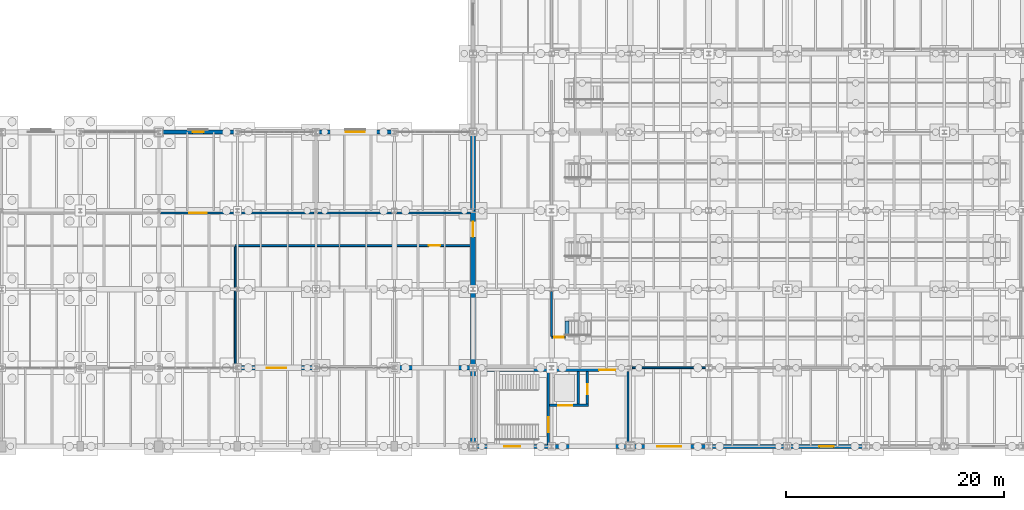
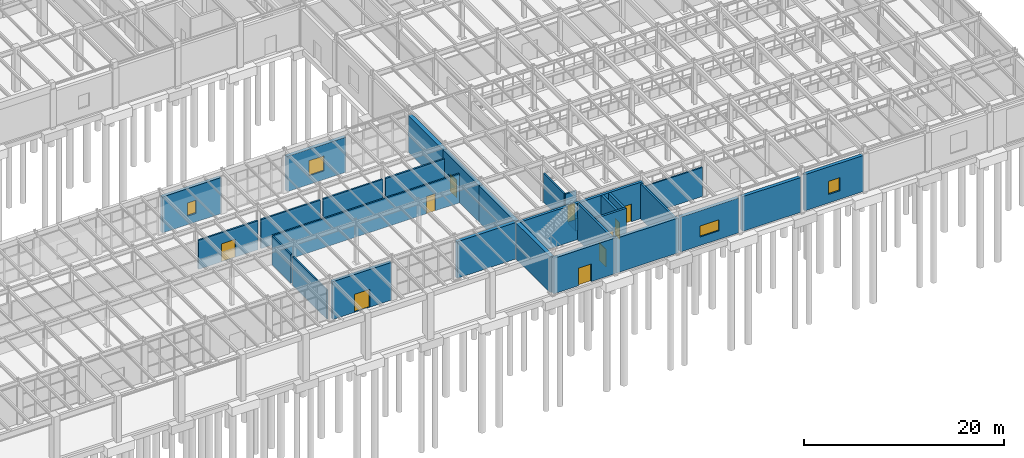
# One storey, part 270 of 293: 30 walls, 10 doors, 4 windows, 14 openings.
"""IFC4 building model written with IfcOpenShell, lengths in metres."""

from ifc_helpers import new_model, si_unit, direction, frame, frame_2d, origin, place, context, subcontext, project, spatial, rectangle, extrude, material, layer, layer_set, type_object, element, fill, save


model = new_model("IFC4")

# Units and contexts
model_context = context("Model", 3, precision=1e-05, world=origin(), true_north=direction((0.0, 1.0)))
body_context = subcontext(model_context, "Body", "Model", "MODEL_VIEW")
ifc_project = project(units=[si_unit("LENGTHUNIT", "METRE"), si_unit("AREAUNIT", "SQUARE_METRE"), si_unit("VOLUMEUNIT", "CUBIC_METRE"), si_unit("PLANEANGLEUNIT", "RADIAN"), si_unit("MASSUNIT", "GRAM", prefix="KILO")], contexts=[model_context])

# Site, building, storey
site_placement = place(None, origin())
site = spatial("IfcSite", under=ifc_project, at=site_placement, CompositionType="ELEMENT")
building_placement = place(site_placement, origin())
building = spatial("IfcBuilding", under=site, at=building_placement, Name="Kemerveld Promenade Tramway Depot", CompositionType="ELEMENT")
storey_placement = place(building_placement, origin())
storey = spatial("IfcBuildingStorey", under=building, at=storey_placement, Name="L00", CompositionType="ELEMENT", Elevation=0.0)

# Wall, opening, door
ifc_material_1 = material(Name="Concrete C40/50", Category="concrete")
ifc_layer_1 = layer(ifc_material_1, 0.25)
ifc_layer_set_1 = layer_set([ifc_layer_1], Name="WL-CORE-250")
wall_type_1 = type_object("IfcWallType", Name="WL-CORE-250", PredefinedType="SHEAR", material=ifc_layer_set_1)
wall_1_placement = place(storey_placement, frame((165.300048828125, 0.179931640625, 0.0), z_axis=(0.0, 0.0, 1.0), x_axis=(0.0, 1.0, 0.0)))
wall_1 = element("IfcWall", 1, at=wall_1_placement, inside=storey, type_object=wall_type_1, Name="WL-C5-L00-SDIV", PredefinedType="SHEAR", context=body_context, shape_type="SweptSolid", body=[
    extrude(rectangle(XDim=6.670166015625, YDim=0.25, at=frame_2d((3.3349609375, 0.0))), origin(), (0.0, 0.0, 1.0), 4.449951171875),
])
opening_1_placement = place(wall_1_placement, frame((1.1201171875, 0.0, 0.0)))
opening_1 = element("IfcOpeningElement", 2, at=opening_1_placement, cuts=wall_1, Name="Opening D-569", PredefinedType="OPENING", context=body_context, shape_type="SweptSolid", body=[
    extrude(rectangle(XDim=1.35009765625, YDim=2.14990234375, at=frame_2d((0.675048828125, 1.074951171875))), frame((0.0, 0.135009765625, 0.0), z_axis=(0.0, -1.0, 0.0), x_axis=(1.0, 0.0, 0.0)), (0.0, 0.0, 1.0), 0.27001953125),
])
ifc_material_2 = material(Name="Galvanised steel fire stair door", Category="steel")
door_type_1 = type_object("IfcDoorType", Name="DR-FD120", OperationType="NOTDEFINED", PredefinedType="DOOR", material=ifc_material_2)
door_1_placement = place(opening_1_placement, origin())
door_1 = element("IfcDoor", 3, at=door_1_placement, inside=storey, type_object=door_type_1, Name="DR-C5-L00-STAIR", OperationType="SINGLE_SWING_LEFT", OverallHeight=2.14990234375, OverallWidth=1.35009765625, PredefinedType="DOOR", context=body_context, shape_type="SweptSolid", body=[
    extrude(rectangle(XDim=1.35009765625, YDim=2.14990234375, at=frame_2d((0.675048828125, 1.074951171875))), frame((0.0, 0.02490234375, 0.0), z_axis=(0.0, -1.0, 0.0), x_axis=(1.0, 0.0, 0.0)), (0.0, 0.0, 1.0), 0.050048828125),
])
fill(opening_1, door_1)

wall_2_placement = place(storey_placement, frame((165.425048828125, 3.760009765625, 0.0), z_axis=(0.0, 0.0, 1.0), x_axis=(1.0, 0.0, 0.0)))
wall_2 = element("IfcWall", 4, at=wall_2_placement, inside=storey, type_object=wall_type_1, Name="WL-C5-L00-LSHS", PredefinedType="SHEAR", context=body_context, shape_type="SweptSolid", body=[
    extrude(rectangle(XDim=3.579833984375, YDim=0.25, at=frame_2d((1.7900390625, 0.0))), origin(), (0.0, 0.0, 1.0), 4.449951171875),
])
opening_2_placement = place(wall_2_placement, frame((0.77490234375, 0.0, 0.0)))
opening_2 = element("IfcOpeningElement", 5, at=opening_2_placement, cuts=wall_2, Name="Opening LD-570", PredefinedType="OPENING", context=body_context, shape_type="SweptSolid", body=[
    extrude(rectangle(XDim=1.300048828125, YDim=2.199951171875, at=frame_2d((0.64990234375, 1.10009765625))), frame((0.0, 0.135009765625, 0.0), z_axis=(0.0, -1.0, 0.0), x_axis=(1.0, 0.0, 0.0)), (0.0, 0.0, 1.0), 0.27001953125),
])
ifc_material_3 = material(Name="Heavy-duty goods lift sliding landing door")
door_type_2 = type_object("IfcDoorType", Name="DR-LD02", OperationType="SLIDING_TO_LEFT", PredefinedType="DOOR", material=ifc_material_3)
door_2_placement = place(opening_2_placement, origin())
door_2 = element("IfcDoor", 6, at=door_2_placement, inside=storey, type_object=door_type_2, Name="DR-C5-L00-LIFT", OperationType="SLIDING_TO_LEFT", OverallHeight=2.199951171875, OverallWidth=1.300048828125, PredefinedType="DOOR", context=body_context, shape_type="SweptSolid", body=[
    extrude(rectangle(XDim=1.300048828125, YDim=2.199951171875, at=frame_2d((0.64990234375, 1.10009765625))), frame((0.0, 0.02490234375, 0.0), z_axis=(0.0, -1.0, 0.0), x_axis=(1.0, 0.0, 0.0)), (0.0, 0.0, 1.0), 0.050048828125),
])
fill(opening_2, door_2)

# Wall
wall_3_placement = place(storey_placement, frame((168.050048828125, 3.885009765625, 0.0), z_axis=(0.0, 0.0, 1.0), x_axis=(0.0, 1.0, 0.0)))
element("IfcWall", 7, at=wall_3_placement, inside=storey, type_object=wall_type_1, Name="WL-C5-L00-LSHM", PredefinedType="SHEAR", context=body_context, shape_type="SweptSolid", body=[
    extrude(rectangle(XDim=2.965087890625, YDim=0.25, at=frame_2d((1.482421875, 0.0))), origin(), (0.0, 0.0, 1.0), 4.449951171875),
])

# Wall, opening, door
wall_4_placement = place(storey_placement, frame((168.8798828125, 3.885009765625, 0.0), z_axis=(0.0, 0.0, 1.0), x_axis=(0.0, 1.0, 0.0)))
wall_4 = element("IfcWall", 8, at=wall_4_placement, inside=storey, type_object=wall_type_1, Name="WL-C5-L00-LSHE", PredefinedType="SHEAR", context=body_context, shape_type="SweptSolid", body=[
    extrude(rectangle(XDim=2.965087890625, YDim=0.25, at=frame_2d((1.482421875, 0.0))), origin(), (0.0, 0.0, 1.0), 4.449951171875),
])
opening_3_placement = place(wall_4_placement, frame((0.89990234375, 0.0, 0.0)))
opening_3 = element("IfcOpeningElement", 9, at=opening_3_placement, cuts=wall_4, Name="Opening D-571", PredefinedType="OPENING", context=body_context, shape_type="SweptSolid", body=[
    extrude(rectangle(XDim=0.919921875, YDim=2.050048828125, at=frame_2d((0.4599609375, 1.02490234375))), frame((0.0, 0.135009765625, 0.0), z_axis=(0.0, -1.0, 0.0), x_axis=(1.0, 0.0, 0.0)), (0.0, 0.0, 1.0), 0.27001953125),
])
ifc_material_4 = material(Name="Steel riser shaft access fire door", Category="steel")
door_type_3 = type_object("IfcDoorType", Name="DR-RSR01", OperationType="NOTDEFINED", PredefinedType="DOOR", material=ifc_material_4)
door_3_placement = place(opening_3_placement, origin())
door_3 = element("IfcDoor", 10, at=door_3_placement, inside=storey, type_object=door_type_3, Name="DR-C5-L00-RISER", OperationType="SINGLE_SWING_RIGHT", OverallHeight=2.050048828125, OverallWidth=0.919921875, PredefinedType="DOOR", context=body_context, shape_type="SweptSolid", body=[
    extrude(rectangle(XDim=0.919921875, YDim=2.050048828125, at=frame_2d((0.4599609375, 1.02490234375))), frame((0.0, 0.02490234375, 0.0), z_axis=(0.0, -1.0, 0.0), x_axis=(1.0, 0.0, 0.0)), (0.0, 0.0, 1.0), 0.050048828125),
])
fill(opening_3, door_3)

ifc_layer_2 = layer(ifc_material_1, 0.300048828125)
ifc_layer_set_2 = layer_set([ifc_layer_2], Name="WL-CORE-300")
wall_type_2 = type_object("IfcWallType", Name="WL-CORE-300", PredefinedType="SHEAR", material=ifc_layer_set_2)
wall_5_placement = place(storey_placement, frame((158.570068359375, 7.0, 0.0), z_axis=(0.0, 0.0, 1.0), x_axis=(1.0, 0.0, 0.0)))
wall_5 = element("IfcWall", 11, at=wall_5_placement, inside=storey, type_object=wall_type_2, Name="WL-C5-L00-N", PredefinedType="SHEAR", context=body_context, shape_type="SweptSolid", body=[
    extrude(rectangle(XDim=14.22998046875, YDim=0.300048828125, at=frame_2d((7.114990234375, 0.0))), origin(), (0.0, 0.0, 1.0), 4.449951171875),
])
opening_4_placement = place(wall_5_placement, frame((11.3798828125, 0.0, 0.0)))
opening_4 = element("IfcOpeningElement", 12, at=opening_4_placement, cuts=wall_5, Name="Opening D-572", PredefinedType="OPENING", context=body_context, shape_type="SweptSolid", body=[
    extrude(rectangle(XDim=1.5, YDim=2.14990234375, at=frame_2d((0.75, 1.074951171875))), frame((0.0, 0.159912109375, 0.0), z_axis=(0.0, -1.0, 0.0), x_axis=(1.0, 0.0, 0.0)), (0.0, 0.0, 1.0), 0.320068359375),
])
ifc_material_5 = material(Name="Timber-faced acoustic fire lobby door", Category="wood")
door_type_4 = type_object("IfcDoorType", Name="DR-FD60A", OperationType="NOTDEFINED", PredefinedType="DOOR", material=ifc_material_5)
door_4_placement = place(opening_4_placement, origin())
door_4 = element("IfcDoor", 13, at=door_4_placement, inside=storey, type_object=door_type_4, Name="DR-C5-L00-LOBBY", OperationType="SINGLE_SWING_LEFT", OverallHeight=2.14990234375, OverallWidth=1.5, PredefinedType="DOOR", context=body_context, shape_type="SweptSolid", body=[
    extrude(rectangle(XDim=1.5, YDim=2.14990234375, at=frame_2d((0.75, 1.074951171875))), frame((0.0, 0.02490234375, 0.0), z_axis=(0.0, -1.0, 0.0), x_axis=(1.0, 0.0, 0.0)), (0.0, 0.0, 1.0), 0.050048828125),
])
fill(opening_4, door_4)

# Wall
ifc_material_6 = material(Name="Harare granite ashlar and clay brick cavity masonry", Category="masonry")
ifc_layer_3 = layer(ifc_material_6, 0.3798828125)
ifc_layer_set_3 = layer_set([ifc_layer_3], Name="WL-EXT-380")
wall_type_3 = type_object("IfcWallType", Name="WL-EXT-380", PredefinedType="SOLIDWALL", material=ifc_layer_set_3)
wall_6_placement = place(storey_placement, frame((158.1826171875, 7.199951171875, 0.0), z_axis=(0.0, 0.0, 1.0), x_axis=(-1.0, 0.0, 0.0)))
element("IfcWall", 14, at=wall_6_placement, inside=storey, type_object=wall_type_3, Name="WL-L00-V4S-01", PredefinedType="SOLIDWALL", context=body_context, shape_type="SweptSolid", body=[
    extrude(rectangle(XDim=6.786376953125, YDim=0.3798828125, at=frame_2d((3.39306640625, 0.0))), origin(), (0.0, 0.0, 1.0), 4.467529296875),
])

# Wall, opening, door
wall_7_placement = place(storey_placement, frame((143.8037109375, 7.199951171875, 0.0), z_axis=(0.0, 0.0, 1.0), x_axis=(-1.0, 0.0, 0.0)))
wall_7 = element("IfcWall", 15, at=wall_7_placement, inside=storey, type_object=wall_type_3, Name="WL-L00-V4S-03", PredefinedType="SOLIDWALL", context=body_context, shape_type="SweptSolid", body=[
    extrude(rectangle(XDim=6.807373046875, YDim=0.3798828125, at=frame_2d((3.40380859375, 0.0))), origin(), (0.0, 0.0, 1.0), 4.618408203125),
])
opening_5_placement = place(wall_7_placement, frame((2.50390625, 0.0, 0.0)))
opening_5 = element("IfcOpeningElement", 16, at=opening_5_placement, cuts=wall_7, Name="Opening D-132", PredefinedType="OPENING", context=body_context, shape_type="SweptSolid", body=[
    extrude(rectangle(XDim=1.800048828125, YDim=2.199951171875, at=frame_2d((0.89990234375, 1.10009765625))), frame((0.0, 0.199951171875, 0.0), z_axis=(0.0, -1.0, 0.0), x_axis=(1.0, 0.0, 0.0)), (0.0, 0.0, 1.0), 0.39990234375),
])
ifc_material_7 = material(Name="Bronze anodised aluminium and safety glass", Category="aluminium")
door_type_5 = type_object("IfcDoorType", Name="DR-EX01", OperationType="DOUBLE_SWING_LEFT", PredefinedType="DOOR", material=ifc_material_7)
door_5_placement = place(opening_5_placement, origin())
door_5 = element("IfcDoor", 17, at=door_5_placement, inside=storey, type_object=door_type_5, Name="EX-12", OperationType="DOUBLE_SWING_LEFT", OverallHeight=2.199951171875, OverallWidth=1.800048828125, PredefinedType="DOOR", context=body_context, shape_type="SweptSolid", body=[
    extrude(rectangle(XDim=1.800048828125, YDim=2.199951171875, at=frame_2d((0.89990234375, 1.10009765625))), frame((0.0, 0.02490234375, 0.0), z_axis=(0.0, -1.0, 0.0), x_axis=(1.0, 0.0, 0.0)), (0.0, 0.0, 1.0), 0.050048828125),
])
fill(opening_5, door_5)

# Wall, opening, window
wall_8_placement = place(storey_placement, frame((129.796142578125, 28.800048828125, 0.0), z_axis=(0.0, 0.0, 1.0), x_axis=(1.0, 0.0, 0.0)))
wall_8 = element("IfcWall", 18, at=wall_8_placement, inside=storey, type_object=wall_type_3, Name="WL-L00-V4N-11", PredefinedType="SOLIDWALL", context=body_context, shape_type="SweptSolid", body=[
    extrude(rectangle(XDim=6.8076171875, YDim=0.3798828125, at=frame_2d((3.40380859375, 0.0))), origin(), (0.0, 0.0, 1.0), 4.405029296875),
])
opening_6_placement = place(wall_8_placement, frame((2.904052734375, 0.0, 1.050048828125)))
opening_6 = element("IfcOpeningElement", 19, at=opening_6_placement, cuts=wall_8, Name="Opening W-118", PredefinedType="OPENING", context=body_context, shape_type="SweptSolid", body=[
    extrude(rectangle(XDim=1.0, YDim=1.60009765625, at=frame_2d((0.5, 0.800048828125))), frame((0.0, 0.199951171875, 0.0), z_axis=(0.0, -1.0, 0.0), x_axis=(1.0, 0.0, 0.0)), (0.0, 0.0, 1.0), 0.39990234375),
])
ifc_material_8 = material(Name="Bronze anodised aluminium and low-e glass", Category="aluminium")
window_type_1 = type_object("IfcWindowType", Name="WN-20", PartitioningType="SINGLE_PANEL", PredefinedType="WINDOW", material=ifc_material_8)
window_1_placement = place(opening_6_placement, origin())
window_1 = element("IfcWindow", 20, at=window_1_placement, inside=storey, type_object=window_type_1, Name="WN-L00-V4N-11", OverallHeight=1.60009765625, OverallWidth=1.0, PartitioningType="SINGLE_PANEL", PredefinedType="WINDOW", context=body_context, shape_type="SweptSolid", body=[
    extrude(rectangle(XDim=1.0, YDim=1.60009765625, at=frame_2d((0.5, 0.800048828125))), frame((0.0, 0.030029296875, 0.0), z_axis=(0.0, -1.0, 0.0), x_axis=(1.0, 0.0, 0.0)), (0.0, 0.0, 1.0), 0.06005859375),
])
fill(opening_6, window_1)

wall_9_placement = place(storey_placement, frame((144.1962890625, 28.800048828125, 0.0), z_axis=(0.0, 0.0, 1.0), x_axis=(1.0, 0.0, 0.0)))
wall_9 = element("IfcWall", 21, at=wall_9_placement, inside=storey, type_object=wall_type_3, Name="WL-L00-V4N-13", PredefinedType="SOLIDWALL", context=body_context, shape_type="SweptSolid", body=[
    extrude(rectangle(XDim=6.807373046875, YDim=0.3798828125, at=frame_2d((3.40380859375, 0.0))), origin(), (0.0, 0.0, 1.0), 4.304931640625),
])
opening_7_placement = place(wall_9_placement, frame((2.529052734375, 0.0, 1.050048828125)))
opening_7 = element("IfcOpeningElement", 22, at=opening_7_placement, cuts=wall_9, Name="Opening W-119", PredefinedType="OPENING", context=body_context, shape_type="SweptSolid", body=[
    extrude(rectangle(XDim=1.75, YDim=1.85009765625, at=frame_2d((0.875, 0.925048828125))), frame((0.0, 0.199951171875, 0.0), z_axis=(0.0, -1.0, 0.0), x_axis=(1.0, 0.0, 0.0)), (0.0, 0.0, 1.0), 0.39990234375),
])
window_type_2 = type_object("IfcWindowType", Name="WN-30", PartitioningType="SINGLE_PANEL", PredefinedType="WINDOW", material=ifc_material_8)
window_2_placement = place(opening_7_placement, origin())
window_2 = element("IfcWindow", 23, at=window_2_placement, inside=storey, type_object=window_type_2, Name="WN-L00-V4N-13", OverallHeight=1.85009765625, OverallWidth=1.75, PartitioningType="SINGLE_PANEL", PredefinedType="WINDOW", context=body_context, shape_type="SweptSolid", body=[
    extrude(rectangle(XDim=1.75, YDim=1.85009765625, at=frame_2d((0.875, 0.925048828125))), frame((0.0, 0.030029296875, 0.0), z_axis=(0.0, -1.0, 0.0), x_axis=(1.0, 0.0, 0.0)), (0.0, 0.0, 1.0), 0.06005859375),
])
fill(opening_7, window_2)

wall_10_placement = place(storey_placement, frame((194.1826171875, 0.0, 0.0), z_axis=(0.0, 0.0, 1.0), x_axis=(-1.0, 0.0, 0.0)))
wall_10 = element("IfcWall", 24, at=wall_10_placement, inside=storey, type_object=wall_type_3, Name="WL-L00-V2S-04", PredefinedType="SOLIDWALL", context=body_context, shape_type="SweptSolid", body=[
    extrude(rectangle(XDim=6.76513671875, YDim=0.3798828125, at=frame_2d((3.382568359375, 0.0))), origin(), (0.0, 0.0, 1.0), 4.41259765625),
])
opening_8_placement = place(wall_10_placement, frame((2.73291015625, 0.0, 1.050048828125)))
opening_8 = element("IfcOpeningElement", 25, at=opening_8_placement, cuts=wall_10, Name="Opening W-138", PredefinedType="OPENING", context=body_context, shape_type="SweptSolid", body=[
    extrude(rectangle(XDim=1.300048828125, YDim=1.60009765625, at=frame_2d((0.64990234375, 0.800048828125))), frame((0.0, 0.199951171875, 0.0), z_axis=(0.0, -1.0, 0.0), x_axis=(1.0, 0.0, 0.0)), (0.0, 0.0, 1.0), 0.39990234375),
])
window_type_3 = type_object("IfcWindowType", Name="WN-25", PartitioningType="SINGLE_PANEL", PredefinedType="WINDOW", material=ifc_material_8)
window_3_placement = place(opening_8_placement, origin())
window_3 = element("IfcWindow", 26, at=window_3_placement, inside=storey, type_object=window_type_3, Name="WN-L00-V2S-04", OverallHeight=1.60009765625, OverallWidth=1.300048828125, PartitioningType="SINGLE_PANEL", PredefinedType="WINDOW", context=body_context, shape_type="SweptSolid", body=[
    extrude(rectangle(XDim=1.300048828125, YDim=1.60009765625, at=frame_2d((0.64990234375, 0.800048828125))), frame((0.0, 0.030029296875, 0.0), z_axis=(0.0, -1.0, 0.0), x_axis=(1.0, 0.0, 0.0)), (0.0, 0.0, 1.0), 0.06005859375),
])
fill(opening_8, window_3)

# Wall
wall_11_placement = place(storey_placement, frame((186.982666015625, 0.0, 0.0), z_axis=(0.0, 0.0, 1.0), x_axis=(-1.0, 0.0, 0.0)))
element("IfcWall", 27, at=wall_11_placement, inside=storey, type_object=wall_type_3, Name="WL-L00-V2S-05", PredefinedType="SOLIDWALL", context=body_context, shape_type="SweptSolid", body=[
    extrude(rectangle(XDim=6.765380859375, YDim=0.3798828125, at=frame_2d((3.3828125, 0.0))), origin(), (0.0, 0.0, 1.0), 4.25),
])

# Wall, opening, window
wall_12_placement = place(storey_placement, frame((179.78271484375, 0.0, 0.0), z_axis=(0.0, 0.0, 1.0), x_axis=(-1.0, 0.0, 0.0)))
wall_12 = element("IfcWall", 28, at=wall_12_placement, inside=storey, type_object=wall_type_3, Name="WL-L00-V2S-06", PredefinedType="SOLIDWALL", context=body_context, shape_type="SweptSolid", body=[
    extrude(rectangle(XDim=6.765380859375, YDim=0.3798828125, at=frame_2d((3.3828125, 0.0))), origin(), (0.0, 0.0, 1.0), 4.25),
])
opening_9_placement = place(wall_12_placement, frame((2.282958984375, 0.0, 1.050048828125)))
opening_9 = element("IfcOpeningElement", 29, at=opening_9_placement, cuts=wall_12, Name="Opening W-139", PredefinedType="OPENING", context=body_context, shape_type="SweptSolid", body=[
    extrude(rectangle(XDim=2.199951171875, YDim=1.35009765625, at=frame_2d((1.10009765625, 0.675048828125))), frame((0.0, 0.199951171875, 0.0), z_axis=(0.0, -1.0, 0.0), x_axis=(1.0, 0.0, 0.0)), (0.0, 0.0, 1.0), 0.39990234375),
])
window_type_4 = type_object("IfcWindowType", Name="WN-35", PartitioningType="SINGLE_PANEL", PredefinedType="WINDOW", material=ifc_material_8)
window_4_placement = place(opening_9_placement, origin())
window_4 = element("IfcWindow", 30, at=window_4_placement, inside=storey, type_object=window_type_4, Name="WN-L00-V2S-06", OverallHeight=1.35009765625, OverallWidth=2.199951171875, PartitioningType="SINGLE_PANEL", PredefinedType="WINDOW", context=body_context, shape_type="SweptSolid", body=[
    extrude(rectangle(XDim=2.199951171875, YDim=1.35009765625, at=frame_2d((1.10009765625, 0.675048828125))), frame((0.0, 0.030029296875, 0.0), z_axis=(0.0, -1.0, 0.0), x_axis=(1.0, 0.0, 0.0)), (0.0, 0.0, 1.0), 0.06005859375),
])
fill(opening_9, window_4)

# Wall
ifc_layer_4 = layer(ifc_material_1, 0.360107421875)
ifc_layer_set_4 = layer_set([ifc_layer_4], Name="WL-EXT-CORE")
wall_type_4 = type_object("IfcWallType", Name="WL-EXT-CORE", PredefinedType="SHEAR", material=ifc_layer_set_4)
wall_13_placement = place(storey_placement, frame((172.800048828125, 0.0, 0.0), z_axis=(0.0, 0.0, 1.0), x_axis=(-1.0, 0.0, 0.0)))
element("IfcWall", 31, at=wall_13_placement, inside=storey, type_object=wall_type_4, Name="WL-L00-V2S-07", PredefinedType="SHEAR", context=body_context, shape_type="SweptSolid", body=[
    extrude(rectangle(XDim=7.199951171875, YDim=0.360107421875, at=frame_2d((3.60009765625, 0.0))), origin(), (0.0, 0.0, 1.0), 4.25),
])

# Wall, opening, door
wall_14_placement = place(storey_placement, frame((165.60009765625, 0.0, 0.0), z_axis=(0.0, 0.0, 1.0), x_axis=(-1.0, 0.0, 0.0)))
wall_14 = element("IfcWall", 32, at=wall_14_placement, inside=storey, type_object=wall_type_4, Name="WL-L00-V2S-08", PredefinedType="SHEAR", context=body_context, shape_type="SweptSolid", body=[
    extrude(rectangle(XDim=7.2001953125, YDim=0.360107421875, at=frame_2d((3.60009765625, 0.0))), origin(), (0.0, 0.0, 1.0), 4.35009765625),
])
opening_10_placement = place(wall_14_placement, frame((2.85009765625, 0.0, 0.0)))
opening_10 = element("IfcOpeningElement", 33, at=opening_10_placement, cuts=wall_14, Name="Opening D-139", PredefinedType="OPENING", context=body_context, shape_type="SweptSolid", body=[
    extrude(rectangle(XDim=1.5, YDim=2.14990234375, at=frame_2d((0.75, 1.074951171875))), frame((0.0, 0.18994140625, 0.0), z_axis=(0.0, -1.0, 0.0), x_axis=(1.0, 0.0, 0.0)), (0.0, 0.0, 1.0), 0.380126953125),
])
ifc_material_9 = material(Name="Galvanised painted steel fire-exit door", Category="steel")
door_type_6 = type_object("IfcDoorType", Name="DR-EX04", OperationType="NOTDEFINED", PredefinedType="DOOR", material=ifc_material_9)
door_6_placement = place(opening_10_placement, origin())
door_6 = element("IfcDoor", 34, at=door_6_placement, inside=storey, type_object=door_type_6, Name="EX-05", OperationType="SINGLE_SWING_RIGHT", OverallHeight=2.14990234375, OverallWidth=1.5, PredefinedType="DOOR", context=body_context, shape_type="SweptSolid", body=[
    extrude(rectangle(XDim=1.5, YDim=2.14990234375, at=frame_2d((0.75, 1.074951171875))), frame((0.0, 0.02490234375, 0.0), z_axis=(0.0, -1.0, 0.0), x_axis=(1.0, 0.0, 0.0)), (0.0, 0.0, 1.0), 0.050048828125),
])
fill(opening_10, door_6)

# Walls
ifc_layer_5 = layer(ifc_material_1, 0.449951171875)
ifc_layer_set_5 = layer_set([ifc_layer_5], Name="WL-FIRE-450")
wall_type_5 = type_object("IfcWallType", Name="WL-FIRE-450", PredefinedType="SOLIDWALL", material=ifc_layer_set_5)
wall_15_placement = place(storey_placement, frame((158.39990234375, 0.197509765625, 0.0), z_axis=(0.0, 0.0, 1.0), x_axis=(0.0, 1.0, 0.0)))
element("IfcWall", 35, at=wall_15_placement, inside=storey, type_object=wall_type_5, Name="WL-FIRE-L00-F42-1", PredefinedType="SOLIDWALL", context=body_context, shape_type="SweptSolid", body=[
    extrude(rectangle(XDim=7.00244140625, YDim=0.449951171875, at=frame_2d((3.501220703125, 0.0))), origin(), (0.0, 0.0, 1.0), 4.39990234375),
])
wall_16_placement = place(storey_placement, frame((158.39990234375, 7.199951171875, 0.0), z_axis=(0.0, 0.0, 1.0), x_axis=(0.0, 1.0, 0.0)))
element("IfcWall", 36, at=wall_16_placement, inside=storey, type_object=wall_type_5, Name="WL-FIRE-L00-F42-2", PredefinedType="SOLIDWALL", context=body_context, shape_type="SweptSolid", body=[
    extrude(rectangle(XDim=7.199951171875, YDim=0.449951171875, at=frame_2d((3.60009765625, 0.0))), origin(), (0.0, 0.0, 1.0), 4.467529296875),
])

# Wall, opening, door
wall_17_placement = place(storey_placement, frame((158.39990234375, 14.39990234375, 0.0), z_axis=(0.0, 0.0, 1.0), x_axis=(0.0, 1.0, 0.0)))
wall_17 = element("IfcWall", 37, at=wall_17_placement, inside=storey, type_object=wall_type_5, Name="WL-FIRE-L00-F42-3", PredefinedType="SOLIDWALL", context=body_context, shape_type="SweptSolid", body=[
    extrude(rectangle(XDim=7.2001953125, YDim=0.449951171875, at=frame_2d((3.60009765625, 0.0))), origin(), (0.0, 0.0, 1.0), 4.467529296875),
])
opening_11_placement = place(wall_17_placement, frame((4.800048828125, 0.0, 0.0)))
opening_11 = element("IfcOpeningElement", 38, at=opening_11_placement, cuts=wall_17, Name="Opening D-586", PredefinedType="OPENING", context=body_context, shape_type="SweptSolid", body=[
    extrude(rectangle(XDim=1.39990234375, YDim=2.14990234375, at=frame_2d((0.699951171875, 1.074951171875))), frame((0.0, 0.23486328125, 0.0), z_axis=(0.0, -1.0, 0.0), x_axis=(1.0, 0.0, 0.0)), (0.0, 0.0, 1.0), 0.469970703125),
])
ifc_material_10 = material(Name="Timber-faced fire corridor door", Category="wood")
door_type_7 = type_object("IfcDoorType", Name="DR-FD60B", OperationType="NOTDEFINED", PredefinedType="DOOR", material=ifc_material_10)
door_7_placement = place(opening_11_placement, origin())
door_7 = element("IfcDoor", 39, at=door_7_placement, inside=storey, type_object=door_type_7, Name="DR-LINK-L00-F42", OperationType="SINGLE_SWING_RIGHT", OverallHeight=2.14990234375, OverallWidth=1.39990234375, PredefinedType="DOOR", context=body_context, shape_type="SweptSolid", body=[
    extrude(rectangle(XDim=1.39990234375, YDim=2.14990234375, at=frame_2d((0.699951171875, 1.074951171875))), frame((0.0, 0.02490234375, 0.0), z_axis=(0.0, -1.0, 0.0), x_axis=(1.0, 0.0, 0.0)), (0.0, 0.0, 1.0), 0.050048828125),
])
fill(opening_11, door_7)

# Walls
wall_18_placement = place(storey_placement, frame((158.39990234375, 21.60009765625, 0.0), z_axis=(0.0, 0.0, 1.0), x_axis=(0.0, 1.0, 0.0)))
element("IfcWall", 40, at=wall_18_placement, inside=storey, type_object=wall_type_5, Name="WL-FIRE-L00-F42-4", PredefinedType="SOLIDWALL", context=body_context, shape_type="SweptSolid", body=[
    extrude(rectangle(XDim=7.00244140625, YDim=0.449951171875, at=frame_2d((3.501220703125, 0.0))), origin(), (0.0, 0.0, 1.0), 4.467529296875),
])
ifc_material_11 = material(Name="Concrete blockwork C35/45", Category="masonry")
ifc_layer_6 = layer(ifc_material_11, 0.199951171875)
ifc_layer_set_6 = layer_set([ifc_layer_6], Name="WL-LOB-200")
wall_type_6 = type_object("IfcWallType", Name="WL-LOB-200", PredefinedType="SOLIDWALL", material=ifc_layer_set_6)
wall_19_placement = place(storey_placement, frame((172.60009765625, 0.179931640625, 0.0), z_axis=(0.0, 0.0, 1.0), x_axis=(0.0, 1.0, 0.0)))
element("IfcWall", 41, at=wall_19_placement, inside=storey, type_object=wall_type_6, Name="WL-C5-L00-E", PredefinedType="SOLIDWALL", context=body_context, shape_type="SweptSolid", body=[
    extrude(rectangle(XDim=6.670166015625, YDim=0.199951171875, at=frame_2d((3.3349609375, 0.0))), origin(), (0.0, 0.0, 1.0), 4.2451171875),
])
ifc_layer_7 = layer(ifc_material_1, 0.35009765625)
ifc_layer_set_7 = layer_set([ifc_layer_7], Name="WL-PIT350")
wall_type_7 = type_object("IfcWallType", Name="WL-PIT350", PredefinedType="USERDEFINED", material=ifc_layer_set_7)
wall_20_placement = place(storey_placement, frame((167.02490234375, 10.10009765625, -1.550048828125), z_axis=(0.0, 0.0, 1.0), x_axis=(0.0, 1.0, 0.0)))
element("IfcWall", 42, at=wall_20_placement, inside=storey, type_object=wall_type_7, Name="WL-PIT-08-W", ObjectType="RETAINING_WALL", PredefinedType="USERDEFINED", context=body_context, shape_type="SweptSolid", body=[
    extrude(rectangle(XDim=1.39990234375, YDim=0.35009765625, at=frame_2d((0.699951171875, 0.0))), origin(), (0.0, 0.0, 1.0), 1.550048828125),
])
ifc_material_12 = material(Name="Acoustic twin-stud gypsum partition")
ifc_layer_8 = layer(ifc_material_12, 0.159912109375)
ifc_layer_set_8 = layer_set([ifc_layer_8], Name="WL-PRT-160")
wall_type_8 = type_object("IfcWallType", Name="WL-PRT-160", PredefinedType="PARTITIONING", material=ifc_layer_set_8)
wall_21_placement = place(storey_placement, frame((172.9990234375, 7.199951171875, 0.0), z_axis=(0.0, 0.0, 1.0), x_axis=(1.0, 0.0, 0.0)))
element("IfcWall", 43, at=wall_21_placement, inside=storey, type_object=wall_type_8, Name="WL-PRT-RM-L00-V2-STORE-S1", PredefinedType="PARTITIONING", context=body_context, shape_type="SweptSolid", body=[
    extrude(rectangle(XDim=6.802001953125, YDim=0.159912109375, at=frame_2d((3.40087890625, 0.0))), origin(), (0.0, 0.0, 1.0), 3.550048828125),
])
wall_22_placement = place(storey_placement, frame((165.60009765625, 10.087890625, 0.0), z_axis=(0.0, 0.0, 1.0), x_axis=(0.0, 1.0, 0.0)))
element("IfcWall", 44, at=wall_22_placement, inside=storey, type_object=wall_type_8, Name="WL-DIV-L00-002", PredefinedType="PARTITIONING", context=body_context, shape_type="SweptSolid", body=[
    extrude(rectangle(XDim=4.119140625, YDim=0.159912109375, at=frame_2d((2.0595703125, 0.0))), origin(), (0.0, 0.0, 1.0), 3.550048828125),
])
wall_23_placement = place(storey_placement, frame((136.60009765625, 7.389892578125, 0.0), z_axis=(0.0, 0.0, 1.0), x_axis=(0.0, 1.0, 0.0)))
element("IfcWall", 45, at=wall_23_placement, inside=storey, type_object=wall_type_8, Name="WL-DIV-L00-025", PredefinedType="PARTITIONING", context=body_context, shape_type="SweptSolid", body=[
    extrude(rectangle(XDim=6.83203125, YDim=0.159912109375, at=frame_2d((3.416015625, 0.0))), origin(), (0.0, 0.0, 1.0), 3.550048828125),
])
wall_24_placement = place(storey_placement, frame((136.60009765625, 14.577880859375, 0.0), z_axis=(0.0, 0.0, 1.0), x_axis=(0.0, 1.0, 0.0)))
element("IfcWall", 46, at=wall_24_placement, inside=storey, type_object=wall_type_8, Name="WL-DIV-L00-026", PredefinedType="PARTITIONING", context=body_context, shape_type="SweptSolid", body=[
    extrude(rectangle(XDim=3.734130859375, YDim=0.159912109375, at=frame_2d((1.8671875, 0.0))), origin(), (0.0, 0.0, 1.0), 3.550048828125),
])

# Wall, opening, door
ifc_material_13 = material(Name="Workshop acoustic block partition")
ifc_layer_9 = layer(ifc_material_13, 0.175048828125)
ifc_layer_set_9 = layer_set([ifc_layer_9], Name="WL-PRT-175")
wall_type_9 = type_object("IfcWallType", Name="WL-PRT-175", PredefinedType="PARTITIONING", material=ifc_layer_set_9)
wall_25_placement = place(storey_placement, frame((165.60009765625, 10.0, 0.0), z_axis=(0.0, 0.0, 1.0), x_axis=(1.0, 0.0, 0.0)))
wall_25 = element("IfcWall", 47, at=wall_25_placement, inside=storey, type_object=wall_type_9, Name="WL-PRT-RM-L00-V2-HALL", PredefinedType="PARTITIONING", context=body_context, shape_type="SweptSolid", body=[
    extrude(rectangle(XDim=1.25, YDim=0.175048828125, at=frame_2d((0.625, 0.0))), origin(), (0.0, 0.0, 1.0), 3.550048828125),
])
opening_12_placement = place(wall_25_placement, frame((0.25, 0.0, 0.0)))
opening_12 = element("IfcOpeningElement", 48, at=opening_12_placement, cuts=wall_25, Name="Opening D-591", PredefinedType="OPENING", context=body_context, shape_type="SweptSolid", body=[
    extrude(rectangle(XDim=0.8798828125, YDim=2.050048828125, at=frame_2d((0.43994140625, 1.02490234375))), frame((0.0, 0.097412109375, 0.0), z_axis=(0.0, -1.0, 0.0), x_axis=(1.0, 0.0, 0.0)), (0.0, 0.0, 1.0), 0.195068359375),
])
ifc_material_14 = material(Name="Hardwood store door", Category="wood")
door_type_8 = type_object("IfcDoorType", Name="DR-INT07", OperationType="NOTDEFINED", PredefinedType="DOOR", material=ifc_material_14)
door_8_placement = place(opening_12_placement, origin())
door_8 = element("IfcDoor", 49, at=door_8_placement, inside=storey, type_object=door_type_8, Name="DR-RM-RM-L00-V2-HALL", OperationType="SINGLE_SWING_RIGHT", OverallHeight=2.050048828125, OverallWidth=0.8798828125, PredefinedType="DOOR", context=body_context, shape_type="SweptSolid", body=[
    extrude(rectangle(XDim=0.8798828125, YDim=2.050048828125, at=frame_2d((0.43994140625, 1.02490234375))), frame((0.0, 0.02490234375, 0.0), z_axis=(0.0, -1.0, 0.0), x_axis=(1.0, 0.0, 0.0)), (0.0, 0.0, 1.0), 0.050048828125),
])
fill(opening_12, door_8)

wall_26_placement = place(storey_placement, frame((136.60009765625, 18.39990234375, 0.0), z_axis=(0.0, 0.0, 1.0), x_axis=(1.0, 0.0, 0.0)))
wall_26 = element("IfcWall", 50, at=wall_26_placement, inside=storey, type_object=wall_type_9, Name="WL-PRT-RM-L00-V4-COMM", PredefinedType="PARTITIONING", context=body_context, shape_type="SweptSolid", body=[
    extrude(rectangle(XDim=21.574951171875, YDim=0.175048828125, at=frame_2d((10.78759765625, 0.0))), origin(), (0.0, 0.0, 1.0), 3.550048828125),
])
opening_13_placement = place(wall_26_placement, frame((17.75, 0.0, 0.0)))
opening_13 = element("IfcOpeningElement", 51, at=opening_13_placement, cuts=wall_26, Name="Opening D-607", PredefinedType="OPENING", context=body_context, shape_type="SweptSolid", body=[
    extrude(rectangle(XDim=1.0400390625, YDim=2.10009765625, at=frame_2d((0.52001953125, 1.050048828125))), frame((0.0, 0.097412109375, 0.0), z_axis=(0.0, -1.0, 0.0), x_axis=(1.0, 0.0, 0.0)), (0.0, 0.0, 1.0), 0.195068359375),
])
ifc_material_15 = material(Name="Hardwood interior room door", Category="wood")
door_type_9 = type_object("IfcDoorType", Name="DR-INT23", OperationType="NOTDEFINED", PredefinedType="DOOR", material=ifc_material_15)
door_9_placement = place(opening_13_placement, origin())
door_9 = element("IfcDoor", 52, at=door_9_placement, inside=storey, type_object=door_type_9, Name="DR-RM-RM-L00-V4-COMM", OperationType="SINGLE_SWING_RIGHT", OverallHeight=2.10009765625, OverallWidth=1.0400390625, PredefinedType="DOOR", context=body_context, shape_type="SweptSolid", body=[
    extrude(rectangle(XDim=1.0400390625, YDim=2.10009765625, at=frame_2d((0.52001953125, 1.050048828125))), frame((0.0, 0.02490234375, 0.0), z_axis=(0.0, -1.0, 0.0), x_axis=(1.0, 0.0, 0.0)), (0.0, 0.0, 1.0), 0.050048828125),
])
fill(opening_13, door_9)

ifc_material_16 = material(Name="Plant and substation fire partition")
ifc_layer_10 = layer(ifc_material_16, 0.18994140625)
ifc_layer_set_10 = layer_set([ifc_layer_10], Name="WL-PRT-190")
wall_type_10 = type_object("IfcWallType", Name="WL-PRT-190", PredefinedType="PARTITIONING", material=ifc_layer_set_10)
wall_27_placement = place(storey_placement, frame((129.760986328125, 21.39990234375, 0.0), z_axis=(0.0, 0.0, 1.0), x_axis=(1.0, 0.0, 0.0)))
wall_27 = element("IfcWall", 53, at=wall_27_placement, inside=storey, type_object=wall_type_10, Name="WL-PRT-RM-L00-V4-FOY", PredefinedType="PARTITIONING", context=body_context, shape_type="SweptSolid", body=[
    extrude(rectangle(XDim=6.8779296875, YDim=0.18994140625, at=frame_2d((3.43896484375, 0.0))), origin(), (0.0, 0.0, 1.0), 3.550048828125),
])
opening_14_placement = place(wall_27_placement, frame((2.638916015625, 0.0, 0.0)))
opening_14 = element("IfcOpeningElement", 54, at=opening_14_placement, cuts=wall_27, Name="Opening D-608", PredefinedType="OPENING", context=body_context, shape_type="SweptSolid", body=[
    extrude(rectangle(XDim=1.60009765625, YDim=2.199951171875, at=frame_2d((0.800048828125, 1.10009765625))), frame((0.0, 0.10498046875, 0.0), z_axis=(0.0, -1.0, 0.0), x_axis=(1.0, 0.0, 0.0)), (0.0, 0.0, 1.0), 0.2099609375),
])
ifc_material_17 = material(Name="Double glazed gallery and canteen door")
door_type_10 = type_object("IfcDoorType", Name="DR-INT05", OperationType="DOUBLE_SWING_LEFT", PredefinedType="DOOR", material=ifc_material_17)
door_10_placement = place(opening_14_placement, origin())
door_10 = element("IfcDoor", 55, at=door_10_placement, inside=storey, type_object=door_type_10, Name="DR-RM-RM-L00-V4-FOY", OperationType="DOUBLE_SWING_LEFT", OverallHeight=2.199951171875, OverallWidth=1.60009765625, PredefinedType="DOOR", context=body_context, shape_type="SweptSolid", body=[
    extrude(rectangle(XDim=1.60009765625, YDim=2.199951171875, at=frame_2d((0.800048828125, 1.10009765625))), frame((0.0, 0.02490234375, 0.0), z_axis=(0.0, -1.0, 0.0), x_axis=(1.0, 0.0, 0.0)), (0.0, 0.0, 1.0), 0.050048828125),
])
fill(opening_14, door_10)

# Walls
for number, where, z_axis, x_axis, name in (
    (56, (136.9609375, 21.39990234375, 0.0), (0.0, 0.0, 1.0), (1.0, 0.0, 0.0), "WL-PRT-RM-L00-V4-FOY-S6"),
    (57, (144.160888671875, 21.39990234375, 0.0), (0.0, 0.0, 1.0), (1.0, 0.0, 0.0), "WL-PRT-RM-L00-V4-FOY-S7"),
):
    element("IfcWall", number, at=place(storey_placement, frame(where, z_axis=z_axis, x_axis=x_axis)), inside=storey, type_object=wall_type_10, Name=name, PredefinedType="PARTITIONING", context=body_context, shape_type="SweptSolid", body=[
        extrude(rectangle(XDim=6.878173828125, YDim=0.18994140625, at=frame_2d((3.43896484375, 0.0))), origin(), (0.0, 0.0, 1.0), 3.550048828125),
    ])
wall_28_placement = place(storey_placement, frame((151.361083984375, 21.39990234375, 0.0), z_axis=(0.0, 0.0, 1.0), x_axis=(1.0, 0.0, 0.0)))
element("IfcWall", 58, at=wall_28_placement, inside=storey, type_object=wall_type_10, Name="WL-PRT-RM-L00-V4-FOY-S8", PredefinedType="PARTITIONING", context=body_context, shape_type="SweptSolid", body=[
    extrude(rectangle(XDim=6.81396484375, YDim=0.18994140625, at=frame_2d((3.406982421875, 0.0))), origin(), (0.0, 0.0, 1.0), 3.550048828125),
])

save(model, "model.ifc")
